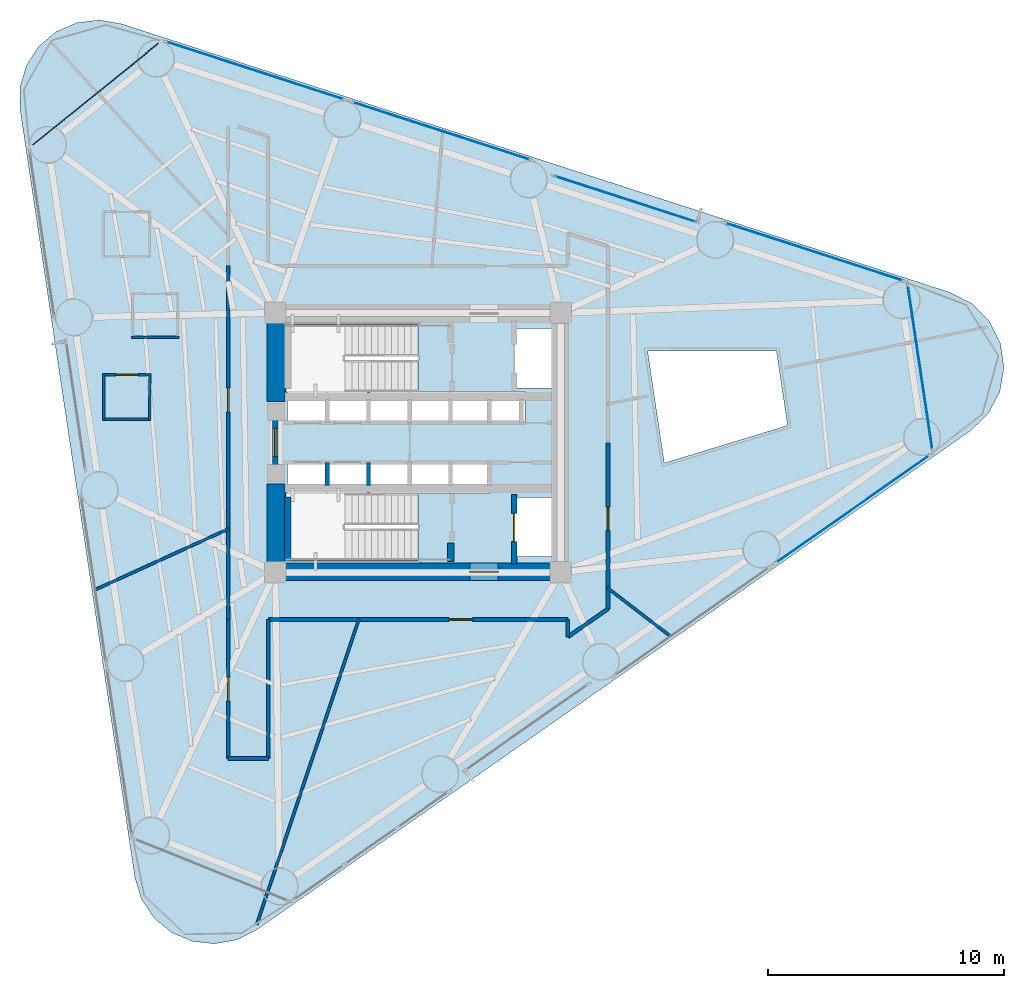
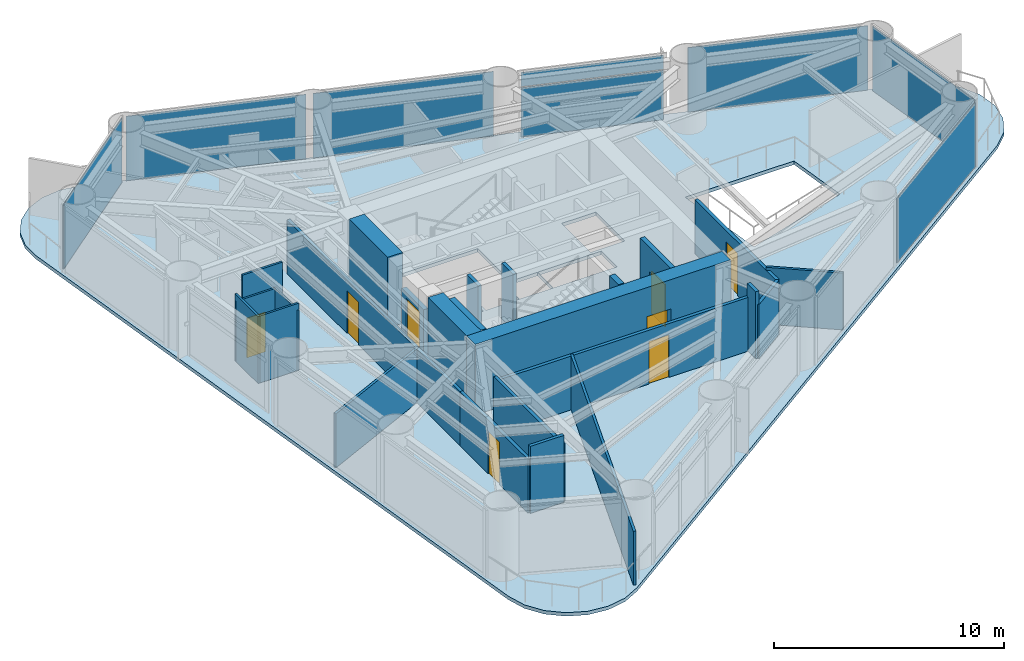
# One storey, part 5 of 9: 25 walls, 8 doors, 8 plates, 1 slab, 8 openings, 7 elements without a shape of their own.
"""IFC4 building model written with IfcOpenShell, lengths in metres."""

from ifc_helpers import new_model, si_unit, direction, frame, frame_2d, origin, origin_2d, place, context, subcontext, project, spatial, polyline, rectangle, outline, extrude, source, transform, mapped, material, layer, layer_set, type_object, element, fill, aggregate, save


model = new_model("IFC4")

# Units and contexts
model_context = context("Model", 3, precision=1e-05, world=origin(), true_north=direction((0.0, 1.0)))
body_context = subcontext(model_context, "Body", "Model", "MODEL_VIEW")
ifc_project = project(units=[si_unit("LENGTHUNIT", "METRE"), si_unit("AREAUNIT", "SQUARE_METRE"), si_unit("VOLUMEUNIT", "CUBIC_METRE"), si_unit("PLANEANGLEUNIT", "RADIAN"), si_unit("MASSUNIT", "GRAM", prefix="KILO")], contexts=[model_context])

# Site, building, storey
site_placement = place(None, origin())
site = spatial("IfcSite", under=ifc_project, at=site_placement, CompositionType="ELEMENT")
building_placement = place(site_placement, origin())
building = spatial("IfcBuilding", under=site, at=building_placement, Name="Yunling Apex Tower", CompositionType="ELEMENT")
storey_placement = place(building_placement, frame((0.0, 0.0, 58.550048828125)))
storey = spatial("IfcBuildingStorey", under=building, at=storey_placement, Name="L15", CompositionType="ELEMENT", Elevation=58.550048828125)

# Slab
ifc_material_1 = material(Name="Concrete C40", Category="concrete")
ifc_layer_1 = layer(ifc_material_1, 0.179931640625)
ifc_layer_set_1 = layer_set([ifc_layer_1], Name="Concrete C40")
slab_type = type_object("IfcSlabType", Name="SL-FLR-1", PredefinedType="FLOOR", material=ifc_layer_set_1)
slab_placement = place(storey_placement, frame((0.0, 0.0, -0.18505859375)))
element("IfcSlab", 1, at=slab_placement, inside=storey, type_object=slab_type, Name="L15 Composite Tower Floor Slab", PredefinedType="FLOOR", context=body_context, shape_type="SweptSolid", body=[
    extrude(outline(polyline([(-12.00732421875, -18.4326171875), (-11.730224609375, -19.349365234375), (-11.202392578125, -20.1484375), (-10.467529296875, -20.7626953125), (-9.587646484375, -21.14111328125), (-8.636474609375, -21.251708984375), (-7.693115234375, -21.08544921875), (-6.837158203125, -20.656005859375), (23.428955078125, 0.50537109375), (24.1796875, 1.231201171875), (24.6669921875, 2.155029296875), (24.842041015625, 3.184814453125), (24.687744140625, 4.217529296875), (24.21923828125, 5.15087890625), (23.483154296875, 5.89208984375), (22.552978515625, 6.36669921875), (-12.57763671875, 17.75439453125), (-13.521728515625, 17.914794921875), (-14.472412109375, 17.798095703125), (-15.349853515625, 17.414306640625), (-16.080810546875, 16.795166015625), (-16.603515625, 15.992919921875), (-16.875, 15.07421875), (-16.871826171875, 14.116455078125), (-12.00732421875, -18.4326171875)]), holes=[polyline([(15.192138671875, 3.88818359375), (15.6650390625, 0.723388671875), (10.442626953125, -0.865966796875), (9.733154296875, 3.88134765625), (15.192138671875, 3.88818359375)]), polyline([(5.81005859375, -2.320068359375), (5.81005859375, -4.840087890625), (4.090087890625, -4.840087890625), (4.090087890625, -2.320068359375), (5.81005859375, -2.320068359375)]), polyline([(5.81005859375, 4.840087890625), (5.81005859375, 2.320068359375), (4.090087890625, 2.320068359375), (4.090087890625, 4.840087890625), (5.81005859375, 4.840087890625)]), polyline([(4.534912109375, 0.794921875), (1.364990234375, 0.794921875), (1.364990234375, 2.1650390625), (4.534912109375, 2.1650390625), (4.534912109375, 0.794921875)]), polyline([(3.034912109375, -0.794921875), (3.034912109375, -2.1650390625), (1.364990234375, -2.1650390625), (1.364990234375, -0.794921875), (3.034912109375, -0.794921875)]), polyline([(-3.864990234375, -0.794921875), (-3.864990234375, -2.139892578125), (-3.8349609375, -2.139892578125), (-3.8349609375, -0.794921875), (-2.1650390625, -0.794921875), (-2.1650390625, -2.139892578125), (-2.034912109375, -2.139892578125), (-2.034912109375, -0.794921875), (-0.364990234375, -0.794921875), (-0.364990234375, -2.139892578125), (-0.3349609375, -2.139892578125), (-0.3349609375, -0.794921875), (1.3349609375, -0.794921875), (1.3349609375, -2.1650390625), (-0.010009765625, -2.1650390625), (-0.010009765625, -5.010009765625), (-5.60009765625, -5.010009765625), (-5.60009765625, -2.139892578125), (-5.534912109375, -2.139892578125), (-5.534912109375, -0.794921875), (-3.864990234375, -0.794921875)]), polyline([(-5.60009765625, 2.139892578125), (-5.60009765625, 5.010009765625), (-0.010009765625, 5.010009765625), (-0.010009765625, 2.1650390625), (1.3349609375, 2.1650390625), (1.3349609375, 0.794921875), (-0.3349609375, 0.794921875), (-0.3349609375, 2.139892578125), (-0.364990234375, 2.139892578125), (-0.364990234375, 0.794921875), (-2.034912109375, 0.794921875), (-2.034912109375, 2.139892578125), (-2.1650390625, 2.139892578125), (-2.1650390625, 0.794921875), (-3.8349609375, 0.794921875), (-3.8349609375, 2.139892578125), (-3.864990234375, 2.139892578125), (-3.864990234375, 0.794921875), (-5.534912109375, 0.794921875), (-5.534912109375, 2.139892578125), (-5.60009765625, 2.139892578125)])]), origin(), (0.0, 0.0, 1.0), 0.18505859375),
])

# Curtain wall, plates
ifc_material_2 = material(Name="Bronze anodised aluminium", Category="aluminium")
ifc_layer_2 = layer(ifc_material_2, 0.260009765625)
ifc_layer_set_2 = layer_set([ifc_layer_2], Name="Bronze anodised aluminium")
curtain_wall_type = type_object("IfcCurtainWallType", Name="CW-SYS-2", PredefinedType="NOTDEFINED", material=ifc_layer_set_2)
curtain_wall_1_placement = place(storey_placement, origin())
curtain_wall_1 = element("IfcCurtainWall", 2, at=curtain_wall_1_placement, inside=storey, type_object=curtain_wall_type, Name="CW-L15-F2-B2", PredefinedType="NOTDEFINED")
ifc_material_3 = material(Name="Bronze tinted low-E glass", Category="glass")
ifc_layer_3 = layer(ifc_material_3, 0.033935546875)
ifc_layer_set_3 = layer_set([ifc_layer_3], Name="Bronze tinted low-E glass")
plate_type = type_object("IfcPlateType", Name="CW-PNL-2", PredefinedType="CURTAIN_PANEL", material=ifc_layer_set_3)
shared_shape_1 = source(origin(), body_context, "Body", "SweptSolid", [
    extrude(rectangle(XDim=6.315673828125, YDim=0.033935546875, at=origin_2d()), origin(), (0.0, 0.0, 1.0), 2.60400390625),
])
plate_1_placement = place(storey_placement, frame((8.7919921875, 10.32275390625, 0.07666015625), z_axis=(0.0, 0.0, 1.0), x_axis=(-0.951272336999, 0.308351975608, 0.0)))
plate_1 = element("IfcPlate", 3, at=plate_1_placement, type_object=plate_type, Name="CW-SYS-2 panel 1.1", PredefinedType="CURTAIN_PANEL", context=body_context, shape_type="MappedRepresentation", body=[
    mapped(shared_shape_1, transform((0.0, 0.0, 0.0), scale=1.0)),
])
shared_shape_2 = source(origin(), body_context, "Body", "SweptSolid", [
    extrude(rectangle(XDim=6.315673828125, YDim=0.033935546875, at=origin_2d()), origin(), (0.0, 0.0, 1.0), 0.739013671875),
])
plate_2_placement = place(storey_placement, frame((8.7919921875, 10.32275390625, 2.7490234375), z_axis=(0.0, 0.0, 1.0), x_axis=(-0.951272336999, 0.308351975608, 0.0)))
plate_2 = element("IfcPlate", 4, at=plate_2_placement, type_object=plate_type, Name="CW-SYS-2 panel 1.2", PredefinedType="CURTAIN_PANEL", context=body_context, shape_type="MappedRepresentation", body=[
    mapped(shared_shape_2, transform((0.0, 0.0, 0.0), scale=1.0)),
])
aggregate(curtain_wall_1, [plate_1, plate_2])

# Curtain wall, plate
curtain_wall_2_placement = place(storey_placement, origin())
curtain_wall_2 = element("IfcCurtainWall", 5, at=curtain_wall_2_placement, inside=storey, type_object=curtain_wall_type, Name="CW-L15-F1-B4", PredefinedType="NOTDEFINED")
shared_shape_3 = source(origin(), body_context, "Body", "SweptSolid", [
    extrude(rectangle(XDim=7.995849609375, YDim=0.033935546875, at=origin_2d()), origin(), (0.0, 0.0, 1.0), 3.41162109375),
])
plate_3_placement = place(storey_placement, frame((18.430419921875, -2.818603515625, 0.07666015625), z_axis=(0.0, 0.0, 1.0), x_axis=(0.819552319691, 0.573004358875, 0.0)))
plate_3 = element("IfcPlate", 6, at=plate_3_placement, type_object=plate_type, Name="CW-SYS-2 panel 1.1", PredefinedType="CURTAIN_PANEL", context=body_context, shape_type="MappedRepresentation", body=[
    mapped(shared_shape_3, transform((0.0, 0.0, 0.0), scale=1.0)),
])
aggregate(curtain_wall_2, [plate_3])

curtain_wall_3_placement = place(storey_placement, origin())
curtain_wall_3 = element("IfcCurtainWall", 7, at=curtain_wall_3_placement, inside=storey, type_object=curtain_wall_type, Name="CW-L15-F2-B1", PredefinedType="NOTDEFINED")
plate_4_placement = place(storey_placement, frame((16.801025390625, 8.083984375, 0.07666015625), z_axis=(0.0, 0.0, 1.0), x_axis=(-0.951270593784, 0.30835735341, 0.0)))
plate_4 = element("IfcPlate", 8, at=plate_4_placement, type_object=plate_type, Name="CW-SYS-2 panel 1.1", PredefinedType="CURTAIN_PANEL", context=body_context, shape_type="MappedRepresentation", body=[
    mapped(shared_shape_3, transform((0.0, 0.0, 0.0), scale=1.0)),
])
aggregate(curtain_wall_3, [plate_4])

curtain_wall_4_placement = place(storey_placement, origin())
curtain_wall_4 = element("IfcCurtainWall", 9, at=curtain_wall_4_placement, inside=storey, type_object=curtain_wall_type, Name="CW-L15-F2-B3", PredefinedType="NOTDEFINED")
plate_5_placement = place(storey_placement, frame((0.9921875, 13.20849609375, 0.07666015625), z_axis=(0.0, 0.0, 1.0), x_axis=(-0.951266994272, 0.308368457544, 0.0)))
plate_5 = element("IfcPlate", 10, at=plate_5_placement, type_object=plate_type, Name="CW-SYS-2 panel 1.1", PredefinedType="CURTAIN_PANEL", context=body_context, shape_type="MappedRepresentation", body=[
    mapped(shared_shape_3, transform((0.0, 0.0, 0.0), scale=1.0)),
])
aggregate(curtain_wall_4, [plate_5])

curtain_wall_5_placement = place(storey_placement, origin())
curtain_wall_5 = element("IfcCurtainWall", 11, at=curtain_wall_5_placement, inside=storey, type_object=curtain_wall_type, Name="CW-L15-F2-B4", PredefinedType="NOTDEFINED")
plate_6_placement = place(storey_placement, frame((-6.912109375, 15.770751953125, 0.07666015625), z_axis=(0.0, 0.0, 1.0), x_axis=(-0.951270593784, 0.30835735341, 0.0)))
plate_6 = element("IfcPlate", 12, at=plate_6_placement, type_object=plate_type, Name="CW-SYS-2 panel 1.1", PredefinedType="CURTAIN_PANEL", context=body_context, shape_type="MappedRepresentation", body=[
    mapped(shared_shape_3, transform((0.0, 0.0, 0.0), scale=1.0)),
])
aggregate(curtain_wall_5, [plate_6])

curtain_wall_6_placement = place(storey_placement, origin())
curtain_wall_6 = element("IfcCurtainWall", 13, at=curtain_wall_6_placement, inside=storey, type_object=curtain_wall_type, Name="CW-L15-CRN1", PredefinedType="NOTDEFINED")
shared_shape_4 = source(origin(), body_context, "Body", "SweptSolid", [
    extrude(rectangle(XDim=7.132080078125, YDim=0.033935546875, at=origin_2d()), origin(), (0.0, 0.0, 1.0), 3.41162109375),
])
plate_7_placement = place(storey_placement, frame((21.28564453125, 3.18115234375, 0.07666015625), z_axis=(0.0, 0.0, 1.0), x_axis=(-0.147798115278, 0.989017551472, 0.0)))
plate_7 = element("IfcPlate", 14, at=plate_7_placement, type_object=plate_type, Name="CW-SYS-2 panel 1.1", PredefinedType="CURTAIN_PANEL", context=body_context, shape_type="MappedRepresentation", body=[
    mapped(shared_shape_4, transform((0.0, 0.0, 0.0), scale=1.0)),
])
aggregate(curtain_wall_6, [plate_7])

curtain_wall_7_placement = place(storey_placement, origin())
curtain_wall_7 = element("IfcCurtainWall", 15, at=curtain_wall_7_placement, inside=storey, type_object=curtain_wall_type, Name="CW-L15-CRN2", PredefinedType="NOTDEFINED")
shared_shape_5 = source(origin(), body_context, "Body", "SweptSolid", [
    extrude(rectangle(XDim=7.043212890625, YDim=0.033935546875, at=origin_2d()), origin(), (0.0, 0.0, 1.0), 3.41162109375),
])
plate_8_placement = place(storey_placement, frame((-13.67041015625, 14.772705078125, 0.07666015625), z_axis=(0.0, 0.0, 1.0), x_axis=(-0.778148820322, -0.628079941911, 0.0)))
plate_8 = element("IfcPlate", 16, at=plate_8_placement, type_object=plate_type, Name="CW-SYS-2 panel 1.1", PredefinedType="CURTAIN_PANEL", context=body_context, shape_type="MappedRepresentation", body=[
    mapped(shared_shape_5, transform((0.0, 0.0, 0.0), scale=1.0)),
])
aggregate(curtain_wall_7, [plate_8])

# Wall, opening, door
ifc_material_4 = material(Name="Concrete C60", Category="concrete")
ifc_layer_4 = layer(ifc_material_4, 0.75)
ifc_layer_set_4 = layer_set([ifc_layer_4], Name="Concrete C60")
wall_type_1 = type_object("IfcWallType", Name="WL-COR-1", PredefinedType="SHEAR", material=ifc_layer_set_4)
wall_1_placement = place(storey_placement, frame((-6.39990234375, -5.47509765625, 0.0), z_axis=(0.0, 0.0, 1.0), x_axis=(1.0, 0.0, 0.0)))
wall_1 = element("IfcWall", 17, at=wall_1_placement, inside=storey, type_object=wall_type_1, Name="L15 South Core Shear Wall", PredefinedType="SHEAR", context=body_context, shape_type="SweptSolid", body=[
    extrude(rectangle(XDim=12.7998046875, YDim=0.75, at=frame_2d((6.39990234375, 0.0))), origin(), (0.0, 0.0, 1.0), 3.75),
])
opening_1_placement = place(wall_1_placement, frame((8.60009765625, 0.0, 0.0)))
opening_1 = element("IfcOpeningElement", 18, at=opening_1_placement, cuts=wall_1, Name="Opening DR-FFL-1", PredefinedType="OPENING", context=body_context, shape_type="SweptSolid", body=[
    extrude(rectangle(XDim=1.199951171875, YDim=2.199951171875, at=frame_2d((0.60009765625, 1.10009765625))), frame((0.0, 0.385009765625, 0.0), z_axis=(0.0, -1.0, 0.0), x_axis=(1.0, 0.0, 0.0)), (0.0, 0.0, 1.0), 0.77001953125),
])
ifc_material_5 = material(Name="Steel Q355B", Category="steel")
door_type_1 = type_object("IfcDoorType", Name="DR-FFL-1", OperationType="NOTDEFINED", PredefinedType="DOOR", material=ifc_material_5)
door_1_placement = place(opening_1_placement, origin())
door_1 = element("IfcDoor", 19, at=door_1_placement, inside=storey, type_object=door_type_1, Name="L15 South Firefighting Lobby Door", OperationType="SINGLE_SWING_RIGHT", OverallHeight=2.199951171875, OverallWidth=1.199951171875, PredefinedType="DOOR", context=body_context, shape_type="SweptSolid", body=[
    extrude(rectangle(XDim=1.199951171875, YDim=2.199951171875, at=frame_2d((0.60009765625, 1.10009765625))), frame((0.0, 0.02490234375, 0.0), z_axis=(0.0, -1.0, 0.0), x_axis=(1.0, 0.0, 0.0)), (0.0, 0.0, 1.0), 0.050048828125),
])
fill(opening_1, door_1)

# Walls
for number, where, z_axis, x_axis, name in (
    (20, (-6.02490234375, -5.10009765625, 0.0), (0.0, 0.0, 1.0), (0.0, 1.0, 0.0), "L15 West-South Core Shear Wall"),
    (21, (-6.02490234375, 1.75, 0.0), (0.0, 0.0, 1.0), (0.0, 1.0, 0.0), "L15 West-North Core Shear Wall"),
):
    element("IfcWall", number, at=place(storey_placement, frame(where, z_axis=z_axis, x_axis=x_axis)), inside=storey, type_object=wall_type_1, Name=name, PredefinedType="SHEAR", context=body_context, shape_type="SweptSolid", body=[
        extrude(rectangle(XDim=3.35009765625, YDim=0.75, at=frame_2d((1.675048828125, 0.0))), origin(), (0.0, 0.0, 1.0), 3.75),
    ])
ifc_layer_5 = layer(ifc_material_1, 0.280029296875)
ifc_layer_set_5 = layer_set([ifc_layer_5], Name="Concrete C40")
wall_type_2 = type_object("IfcWallType", Name="WL-COR-8", PredefinedType="SHEAR", material=ifc_layer_set_5)
wall_2_placement = place(storey_placement, frame((-5.52001953125, -5.050048828125, 0.0), z_axis=(0.0, 0.0, 1.0), x_axis=(0.0, 1.0, 0.0)))
element("IfcWall", 22, at=wall_2_placement, inside=storey, type_object=wall_type_2, Name="L15 ST-2 West Landing Bearing Wall", PredefinedType="SHEAR", context=body_context, shape_type="SweptSolid", body=[
    extrude(rectangle(XDim=2.75, YDim=0.280029296875, at=frame_2d((1.375, 0.0))), origin(), (0.0, 0.0, 1.0), 3.75),
])
wall_3_placement = place(storey_placement, frame((1.3798828125, -5.050048828125, 0.0), z_axis=(0.0, 0.0, 1.0), x_axis=(0.0, 1.0, 0.0)))
element("IfcWall", 23, at=wall_3_placement, inside=storey, type_object=wall_type_2, Name="L15 ST-2 East Landing Bearing Pier", PredefinedType="SHEAR", context=body_context, shape_type="SweptSolid", body=[
    extrude(rectangle(XDim=0.800048828125, YDim=0.280029296875, at=frame_2d((0.39990234375, 0.0))), origin(), (0.0, 0.0, 1.0), 3.75),
])

# Wall, opening, door
ifc_material_6 = material(Name="Gypsum board acoustic partition")
ifc_layer_6 = layer(ifc_material_6, 0.159912109375)
ifc_layer_set_6 = layer_set([ifc_layer_6], Name="Gypsum board acoustic partition")
wall_type_3 = type_object("IfcWallType", Name="WL-PRT-1", PredefinedType="PARTITIONING", material=ifc_layer_set_6)
wall_4_placement = place(storey_placement, frame((-8.050048828125, -13.39990234375, 0.0), z_axis=(0.0, 0.0, 1.0), x_axis=(0.0, 1.0, 0.0)))
wall_4 = element("IfcWall", 24, at=wall_4_placement, inside=storey, type_object=wall_type_3, Name="WL-CORR-L15-01", PredefinedType="PARTITIONING", context=body_context, shape_type="SweptSolid", body=[
    extrude(rectangle(XDim=5.89990234375, YDim=0.159912109375, at=frame_2d((2.949951171875, 0.0))), origin(), (0.0, 0.0, 1.0), 2.849853515625),
])
opening_2_placement = place(wall_4_placement, frame((2.449951171875, 0.0, 0.0)))
opening_2 = element("IfcOpeningElement", 25, at=opening_2_placement, cuts=wall_4, Name="Opening DR-OFF-1", PredefinedType="OPENING", context=body_context, shape_type="SweptSolid", body=[
    extrude(rectangle(XDim=1.0, YDim=2.25, at=frame_2d((0.5, 1.125))), frame((0.0, 0.08984375, 0.0), z_axis=(0.0, -1.0, 0.0), x_axis=(1.0, 0.0, 0.0)), (0.0, 0.0, 1.0), 0.179931640625),
])
door_type_2 = type_object("IfcDoorType", Name="DR-OFF-1", OperationType="NOTDEFINED", PredefinedType="DOOR", material=ifc_material_2)
door_2_placement = place(opening_2_placement, origin())
door_2 = element("IfcDoor", 26, at=door_2_placement, inside=storey, type_object=door_type_2, Name="L15 Conference Meeting Room Door", OperationType="SINGLE_SWING_RIGHT", OverallHeight=2.25, OverallWidth=1.0, PredefinedType="DOOR", context=body_context, shape_type="SweptSolid", body=[
    extrude(rectangle(XDim=1.0, YDim=2.25, at=frame_2d((0.5, 1.125))), frame((0.0, 0.02490234375, 0.0), z_axis=(0.0, -1.0, 0.0), x_axis=(1.0, 0.0, 0.0)), (0.0, 0.0, 1.0), 0.050048828125),
])
fill(opening_2, door_2)

wall_5_placement = place(storey_placement, frame((-8.050048828125, -7.5, 0.0), z_axis=(0.0, 0.0, 1.0), x_axis=(0.0, 1.0, 0.0)))
wall_5 = element("IfcWall", 27, at=wall_5_placement, inside=storey, type_object=wall_type_3, Name="WL-CORR-L15-02", PredefinedType="PARTITIONING", context=body_context, shape_type="SweptSolid", body=[
    extrude(rectangle(XDim=15.0, YDim=0.159912109375, at=frame_2d((7.5, 0.0))), origin(), (0.0, 0.0, 1.0), 2.849853515625),
])
opening_3_placement = place(wall_5_placement, frame((8.805908203125, 0.0, 0.0)))
opening_3 = element("IfcOpeningElement", 28, at=opening_3_placement, cuts=wall_5, Name="Opening DR-OFF-1", PredefinedType="OPENING", context=body_context, shape_type="SweptSolid", body=[
    extrude(rectangle(XDim=1.0, YDim=2.25, at=frame_2d((0.5, 1.125))), frame((0.0, 0.08984375, 0.0), z_axis=(0.0, -1.0, 0.0), x_axis=(1.0, 0.0, 0.0)), (0.0, 0.0, 1.0), 0.179931640625),
])
door_3_placement = place(opening_3_placement, origin())
door_3 = element("IfcDoor", 29, at=door_3_placement, inside=storey, type_object=door_type_2, Name="L15 Service Foyer Lounge Door", OperationType="SINGLE_SWING_LEFT", OverallHeight=2.25, OverallWidth=1.0, PredefinedType="DOOR", context=body_context, shape_type="SweptSolid", body=[
    extrude(rectangle(XDim=1.0, YDim=2.25, at=frame_2d((0.5, 1.125))), frame((0.0, 0.02490234375, 0.0), z_axis=(0.0, -1.0, 0.0), x_axis=(1.0, 0.0, 0.0)), (0.0, 0.0, 1.0), 0.050048828125),
])
fill(opening_3, door_3)

wall_6_placement = place(storey_placement, frame((8.050048828125, -0.02001953125, 0.0), z_axis=(0.0, 0.0, 1.0), x_axis=(0.0, -1.0, 0.0)))
wall_6 = element("IfcWall", 30, at=wall_6_placement, inside=storey, type_object=wall_type_3, Name="WL-CORR-L15-12", PredefinedType="PARTITIONING", context=body_context, shape_type="SweptSolid", body=[
    extrude(rectangle(XDim=7.0302734375, YDim=0.159912109375, at=frame_2d((3.51513671875, 0.0))), origin(), (0.0, 0.0, 1.0), 2.849853515625),
])
opening_4_placement = place(wall_6_placement, frame((2.70458984375, 0.0, 0.0)))
opening_4 = element("IfcOpeningElement", 31, at=opening_4_placement, cuts=wall_6, Name="Opening DR-OFF-1", PredefinedType="OPENING", context=body_context, shape_type="SweptSolid", body=[
    extrude(rectangle(XDim=1.0, YDim=2.25, at=frame_2d((0.5, 1.125))), frame((0.0, 0.08984375, 0.0), z_axis=(0.0, -1.0, 0.0), x_axis=(1.0, 0.0, 0.0)), (0.0, 0.0, 1.0), 0.179931640625),
])
door_4_placement = place(opening_4_placement, origin())
door_4 = element("IfcDoor", 32, at=door_4_placement, inside=storey, type_object=door_type_2, Name="L15 Conference Meeting Room Door", OperationType="SINGLE_SWING_RIGHT", OverallHeight=2.25, OverallWidth=1.0, PredefinedType="DOOR", context=body_context, shape_type="SweptSolid", body=[
    extrude(rectangle(XDim=1.0, YDim=2.25, at=frame_2d((0.5, 1.125))), frame((0.0, 0.02490234375, 0.0), z_axis=(0.0, -1.0, 0.0), x_axis=(1.0, 0.0, 0.0)), (0.0, 0.0, 1.0), 0.050048828125),
])
fill(opening_4, door_4)

# Walls
wall_7_placement = place(storey_placement, frame((8.050048828125, -7.05029296875, 0.0), z_axis=(0.0, 0.0, 1.0), x_axis=(-0.819513816746, -0.573059424635, 0.0)))
element("IfcWall", 33, at=wall_7_placement, inside=storey, type_object=wall_type_3, Name="WL-CORR-L15-13", PredefinedType="PARTITIONING", context=body_context, shape_type="SweptSolid", body=[
    extrude(rectangle(XDim=2.074462890625, YDim=0.159912109375, at=frame_2d((1.037109375, 0.0))), origin(), (0.0, 0.0, 1.0), 2.849853515625),
])
wall_8_placement = place(storey_placement, frame((6.35009765625, -8.239013671875, 0.0), z_axis=(0.0, 0.0, 1.0), x_axis=(0.0, 1.0, 0.0)))
element("IfcWall", 34, at=wall_8_placement, inside=storey, type_object=wall_type_3, Name="WL-CORR-L15-14", PredefinedType="PARTITIONING", context=body_context, shape_type="SweptSolid", body=[
    extrude(rectangle(XDim=0.739013671875, YDim=0.159912109375, at=frame_2d((0.36962890625, 0.0))), origin(), (0.0, 0.0, 1.0), 3.544921875),
])

# Wall, opening, door
wall_9_placement = place(storey_placement, frame((6.35009765625, -7.5, 0.0), z_axis=(0.0, 0.0, 1.0), x_axis=(-1.0, 0.0, 0.0)))
wall_9 = element("IfcWall", 35, at=wall_9_placement, inside=storey, type_object=wall_type_3, Name="WL-CORR-L15-15", PredefinedType="PARTITIONING", context=body_context, shape_type="SweptSolid", body=[
    extrude(rectangle(XDim=12.7001953125, YDim=0.159912109375, at=frame_2d((6.35009765625, 0.0))), origin(), (0.0, 0.0, 1.0), 2.849853515625),
])
opening_5_placement = place(wall_9_placement, frame((4.03515625, 0.0, 0.0)))
opening_5 = element("IfcOpeningElement", 36, at=opening_5_placement, cuts=wall_9, Name="Opening DR-OFF-1", PredefinedType="OPENING", context=body_context, shape_type="SweptSolid", body=[
    extrude(rectangle(XDim=1.0, YDim=2.25, at=frame_2d((0.5, 1.125))), frame((0.0, 0.08984375, 0.0), z_axis=(0.0, -1.0, 0.0), x_axis=(1.0, 0.0, 0.0)), (0.0, 0.0, 1.0), 0.179931640625),
])
door_5_placement = place(opening_5_placement, origin())
door_5 = element("IfcDoor", 37, at=door_5_placement, inside=storey, type_object=door_type_2, Name="L15 Conference Meeting Room Door", OperationType="SINGLE_SWING_LEFT", OverallHeight=2.25, OverallWidth=1.0, PredefinedType="DOOR", context=body_context, shape_type="SweptSolid", body=[
    extrude(rectangle(XDim=1.0, YDim=2.25, at=frame_2d((0.5, 1.125))), frame((0.0, 0.02490234375, 0.0), z_axis=(0.0, -1.0, 0.0), x_axis=(1.0, 0.0, 0.0)), (0.0, 0.0, 1.0), 0.050048828125),
])
fill(opening_5, door_5)

# Walls
wall_10_placement = place(storey_placement, frame((-6.35009765625, -7.5, 0.0), z_axis=(0.0, 0.0, 1.0), x_axis=(0.0, -1.0, 0.0)))
element("IfcWall", 38, at=wall_10_placement, inside=storey, type_object=wall_type_3, Name="WL-CORR-L15-16", PredefinedType="PARTITIONING", context=body_context, shape_type="SweptSolid", body=[
    extrude(rectangle(XDim=5.89990234375, YDim=0.159912109375, at=frame_2d((2.949951171875, 0.0))), origin(), (0.0, 0.0, 1.0), 3.050048828125),
])
wall_11_placement = place(storey_placement, frame((-6.35009765625, -13.39990234375, 0.0), z_axis=(0.0, 0.0, 1.0), x_axis=(-1.0, 0.0, 0.0)))
element("IfcWall", 39, at=wall_11_placement, inside=storey, type_object=wall_type_3, Name="WL-CORR-L15-17", PredefinedType="PARTITIONING", context=body_context, shape_type="SweptSolid", body=[
    extrude(rectangle(XDim=1.699951171875, YDim=0.159912109375, at=frame_2d((0.85009765625, 0.0))), origin(), (0.0, 0.0, 1.0), 3.544921875),
])
ifc_layer_7 = layer(ifc_material_6, 0.1201171875)
ifc_layer_set_7 = layer_set([ifc_layer_7], Name="Gypsum board acoustic partition")
wall_type_4 = type_object("IfcWallType", Name="WL-PRT-3", PredefinedType="PARTITIONING", material=ifc_layer_set_7)
wall_12_placement = place(storey_placement, frame((-8.010009765625, -3.650390625, 0.0), z_axis=(0.0, 0.0, 1.0), x_axis=(-0.909955974898, -0.414704863425, 0.0)))
element("IfcWall", 40, at=wall_12_placement, inside=storey, type_object=wall_type_4, Name="WL-RAD-L15-03", PredefinedType="PARTITIONING", context=body_context, shape_type="SweptSolid", body=[
    extrude(rectangle(XDim=6.198486328125, YDim=0.1201171875, at=frame_2d((3.09912109375, 0.0))), origin(), (0.0, 0.0, 1.0), 2.849853515625),
])
wall_13_placement = place(storey_placement, frame((-2.49609375, -7.4599609375, 0.0), z_axis=(0.0, 0.0, 1.0), x_axis=(-0.317303379034, -0.948324082608, 0.0)))
element("IfcWall", 41, at=wall_13_placement, inside=storey, type_object=wall_type_4, Name="WL-RAD-L15-04", PredefinedType="PARTITIONING", context=body_context, shape_type="SweptSolid", body=[
    extrude(rectangle(XDim=13.68408203125, YDim=0.1201171875, at=frame_2d((6.842041015625, 0.0))), origin(), (0.0, 0.0, 1.0), 2.849853515625),
])
wall_14_placement = place(storey_placement, frame((8.010009765625, -6.146240234375, 0.0), z_axis=(0.0, 0.0, 1.0), x_axis=(0.79333380799, -0.608786883153, 0.0)))
element("IfcWall", 42, at=wall_14_placement, inside=storey, type_object=wall_type_4, Name="WL-RAD-L15-05", PredefinedType="PARTITIONING", context=body_context, shape_type="SweptSolid", body=[
    extrude(rectangle(XDim=3.360107421875, YDim=0.1201171875, at=frame_2d((1.68017578125, 0.0))), origin(), (0.0, 0.0, 1.0), 3.010009765625),
])

# Wall, opening, door
ifc_layer_8 = layer(ifc_material_6, 0.10009765625)
ifc_layer_set_8 = layer_set([ifc_layer_8], Name="Gypsum board acoustic partition")
wall_type_5 = type_object("IfcWallType", Name="WL-PRT-4", PredefinedType="PARTITIONING", material=ifc_layer_set_8)
wall_15_placement = place(storey_placement, frame((-13.366943359375, 2.881103515625, 0.0), z_axis=(0.0, 0.0, 1.0), x_axis=(1.0, 0.0, 0.0)))
wall_15 = element("IfcWall", 43, at=wall_15_placement, inside=storey, type_object=wall_type_5, Name="WL-L15-WCMN", PredefinedType="PARTITIONING", context=body_context, shape_type="SweptSolid", body=[
    extrude(rectangle(XDim=2.050048828125, YDim=0.10009765625, at=frame_2d((1.02490234375, 0.0))), origin(), (0.0, 0.0, 1.0), 3.199951171875),
])
opening_6_placement = place(wall_15_placement, frame((0.56494140625, 0.0, 0.0)))
opening_6 = element("IfcOpeningElement", 44, at=opening_6_placement, cuts=wall_15, Name="Opening DR-WC-1", PredefinedType="OPENING", context=body_context, shape_type="SweptSolid", body=[
    extrude(rectangle(XDim=0.919921875, YDim=2.10009765625, at=frame_2d((0.4599609375, 1.050048828125))), frame((0.0, 0.06005859375, 0.0), z_axis=(0.0, -1.0, 0.0), x_axis=(1.0, 0.0, 0.0)), (0.0, 0.0, 1.0), 0.1201171875),
])
ifc_material_7 = material(Name="Timber moisture-resistant leaf", Category="wood")
door_type_3 = type_object("IfcDoorType", Name="DR-WC-1", OperationType="NOTDEFINED", PredefinedType="DOOR", material=ifc_material_7)
door_6_placement = place(opening_6_placement, origin())
door_6 = element("IfcDoor", 45, at=door_6_placement, inside=storey, type_object=door_type_3, Name="L15 Male Toilet Door", OperationType="SINGLE_SWING_LEFT", OverallHeight=2.10009765625, OverallWidth=0.919921875, PredefinedType="DOOR", context=body_context, shape_type="SweptSolid", body=[
    extrude(rectangle(XDim=0.919921875, YDim=2.10009765625, at=frame_2d((0.4599609375, 1.050048828125))), frame((0.0, 0.02490234375, 0.0), z_axis=(0.0, -1.0, 0.0), x_axis=(1.0, 0.0, 0.0)), (0.0, 0.0, 1.0), 0.050048828125),
])
fill(opening_6, door_6)

# Walls
wall_16_placement = place(storey_placement, frame((-11.31689453125, 0.98095703125, 0.0), z_axis=(0.0, 0.0, 1.0), x_axis=(-1.0, 0.0, 0.0)))
element("IfcWall", 46, at=wall_16_placement, inside=storey, type_object=wall_type_5, Name="WL-L15-WCMS", PredefinedType="PARTITIONING", context=body_context, shape_type="SweptSolid", body=[
    extrude(rectangle(XDim=2.050048828125, YDim=0.10009765625, at=frame_2d((1.02490234375, 0.0))), origin(), (0.0, 0.0, 1.0), 3.544921875),
])
wall_17_placement = place(storey_placement, frame((-11.366943359375, 2.930908203125, 0.0), z_axis=(0.0, 0.0, 1.0), x_axis=(0.0, -1.0, 0.0)))
element("IfcWall", 47, at=wall_17_placement, inside=storey, type_object=wall_type_5, Name="WL-L15-WCME", PredefinedType="PARTITIONING", context=body_context, shape_type="SweptSolid", body=[
    extrude(rectangle(XDim=2.0, YDim=0.10009765625, at=frame_2d((1.0, 0.0))), origin(), (0.0, 0.0, 1.0), 3.199951171875),
])
wall_18_placement = place(storey_placement, frame((-13.31689453125, 0.930908203125, 0.0), z_axis=(0.0, 0.0, 1.0), x_axis=(0.0, 1.0, 0.0)))
element("IfcWall", 48, at=wall_18_placement, inside=storey, type_object=wall_type_5, Name="WL-L15-WCMW", PredefinedType="PARTITIONING", context=body_context, shape_type="SweptSolid", body=[
    extrude(rectangle(XDim=2.0, YDim=0.10009765625, at=frame_2d((1.0, 0.0))), origin(), (0.0, 0.0, 1.0), 3.544921875),
])
wall_19_placement = place(storey_placement, frame((-10.14208984375, 4.458984375, 0.0), z_axis=(0.0, 0.0, 1.0), x_axis=(-1.0, 0.0, 0.0)))
element("IfcWall", 49, at=wall_19_placement, inside=storey, type_object=wall_type_5, Name="WL-L15-WCAS", PredefinedType="PARTITIONING", context=body_context, shape_type="SweptSolid", body=[
    extrude(rectangle(XDim=2.0, YDim=0.10009765625, at=frame_2d((1.0, 0.0))), origin(), (0.0, 0.0, 1.0), 3.199951171875),
])

# Wall, opening, door
ifc_material_8 = material(Name="Autoclaved aerated concrete masonry", Category="masonry")
ifc_layer_9 = layer(ifc_material_8, 0.219970703125)
ifc_layer_set_9 = layer_set([ifc_layer_9], Name="Autoclaved aerated concrete masonry")
wall_type_6 = type_object("IfcWallType", Name="WL-SHF-1", PredefinedType="PLUMBINGWALL", material=ifc_layer_set_9)
wall_20_placement = place(storey_placement, frame((-6.050048828125, -0.949951171875, 0.0), z_axis=(0.0, 0.0, 1.0), x_axis=(0.0, 1.0, 0.0)))
wall_20 = element("IfcWall", 50, at=wall_20_placement, inside=storey, type_object=wall_type_6, Name="WL-COR-WPORT-L15", PredefinedType="PLUMBINGWALL", context=body_context, shape_type="SweptSolid", body=[
    extrude(rectangle(XDim=1.89990234375, YDim=0.219970703125, at=frame_2d((0.949951171875, 0.0))), origin(), (0.0, 0.0, 1.0), 2.52490234375),
])
opening_7_placement = place(wall_20_placement, frame((0.35009765625, 0.0, 0.0)))
opening_7 = element("IfcOpeningElement", 51, at=opening_7_placement, cuts=wall_20, Name="Opening DR-FFL-1", PredefinedType="OPENING", context=body_context, shape_type="SweptSolid", body=[
    extrude(rectangle(XDim=1.199951171875, YDim=2.199951171875, at=frame_2d((0.60009765625, 1.10009765625))), frame((0.0, 0.1201171875, 0.0), z_axis=(0.0, -1.0, 0.0), x_axis=(1.0, 0.0, 0.0)), (0.0, 0.0, 1.0), 0.239990234375),
])
door_7_placement = place(opening_7_placement, origin())
door_7 = element("IfcDoor", 52, at=door_7_placement, inside=storey, type_object=door_type_1, Name="L15 Passenger Lift Lobby Entrance Door", OperationType="SINGLE_SWING_RIGHT", OverallHeight=2.199951171875, OverallWidth=1.199951171875, PredefinedType="DOOR", context=body_context, shape_type="SweptSolid", body=[
    extrude(rectangle(XDim=1.199951171875, YDim=2.199951171875, at=frame_2d((0.60009765625, 1.10009765625))), frame((0.0, 0.02490234375, 0.0), z_axis=(0.0, -1.0, 0.0), x_axis=(1.0, 0.0, 0.0)), (0.0, 0.0, 1.0), 0.050048828125),
])
fill(opening_7, door_7)

wall_21_placement = place(storey_placement, frame((4.080078125, -5.14990234375, 0.0), z_axis=(0.0, 0.0, 1.0), x_axis=(0.0, 1.0, 0.0)))
wall_21 = element("IfcWall", 53, at=wall_21_placement, inside=storey, type_object=wall_type_6, Name="WL-FFL2-W-L15", PredefinedType="PLUMBINGWALL", context=body_context, shape_type="SweptSolid", body=[
    extrude(rectangle(XDim=2.949951171875, YDim=0.219970703125, at=frame_2d((1.47509765625, 0.0))), origin(), (0.0, 0.0, 1.0), 3.544921875),
])
opening_8_placement = place(wall_21_placement, frame((0.949951171875, 0.0, 0.0)))
opening_8 = element("IfcOpeningElement", 54, at=opening_8_placement, cuts=wall_21, Name="Opening LD-FFL-1", PredefinedType="OPENING", context=body_context, shape_type="SweptSolid", body=[
    extrude(rectangle(XDim=1.199951171875, YDim=2.25, at=frame_2d((0.60009765625, 1.125))), frame((0.0, 0.1201171875, 0.0), z_axis=(0.0, -1.0, 0.0), x_axis=(1.0, 0.0, 0.0)), (0.0, 0.0, 1.0), 0.239990234375),
])
door_type_4 = type_object("IfcDoorType", Name="LD-FFL-1", OperationType="DOUBLE_DOOR_SLIDING", PredefinedType="DOOR", material=ifc_material_5)
door_8_placement = place(opening_8_placement, origin())
door_8 = element("IfcDoor", 55, at=door_8_placement, inside=storey, type_object=door_type_4, Name="L15 Lift FFL-2 Landing Door", OperationType="DOUBLE_DOOR_SLIDING", OverallHeight=2.25, OverallWidth=1.199951171875, PredefinedType="DOOR", context=body_context, shape_type="SweptSolid", body=[
    extrude(rectangle(XDim=1.199951171875, YDim=2.25, at=frame_2d((0.60009765625, 1.125))), frame((0.0, 0.02490234375, 0.0), z_axis=(0.0, -1.0, 0.0), x_axis=(1.0, 0.0, 0.0)), (0.0, 0.0, 1.0), 0.050048828125),
])
fill(opening_8, door_8)

# Walls
ifc_layer_10 = layer(ifc_material_8, 0.179931640625)
ifc_layer_set_10 = layer_set([ifc_layer_10], Name="Autoclaved aerated concrete masonry")
wall_type_7 = type_object("IfcWallType", Name="WL-SHF-2", PredefinedType="PLUMBINGWALL", material=ifc_layer_set_10)
for number, where, z_axis, x_axis, name in (
    (56, (-3.85009765625, -1.820068359375, 0.0), (0.0, 0.0, 1.0), (0.0, 1.0, 0.0), "WL-DIV-L34-L15"),
    (57, (-2.10009765625, -1.820068359375, 0.0), (0.0, 0.0, 1.0), (0.0, 1.0, 0.0), "WL-BNK-LM-S-L15"),
):
    element("IfcWall", number, at=place(storey_placement, frame(where, z_axis=z_axis, x_axis=x_axis)), inside=storey, type_object=wall_type_7, Name=name, PredefinedType="PLUMBINGWALL", context=body_context, shape_type="SweptSolid", body=[
        extrude(rectangle(XDim=0.97998046875, YDim=0.179931640625, at=frame_2d((0.489990234375, 0.0))), origin(), (0.0, 0.0, 1.0), 3.544921875),
    ])

save(model, "model.ifc")
